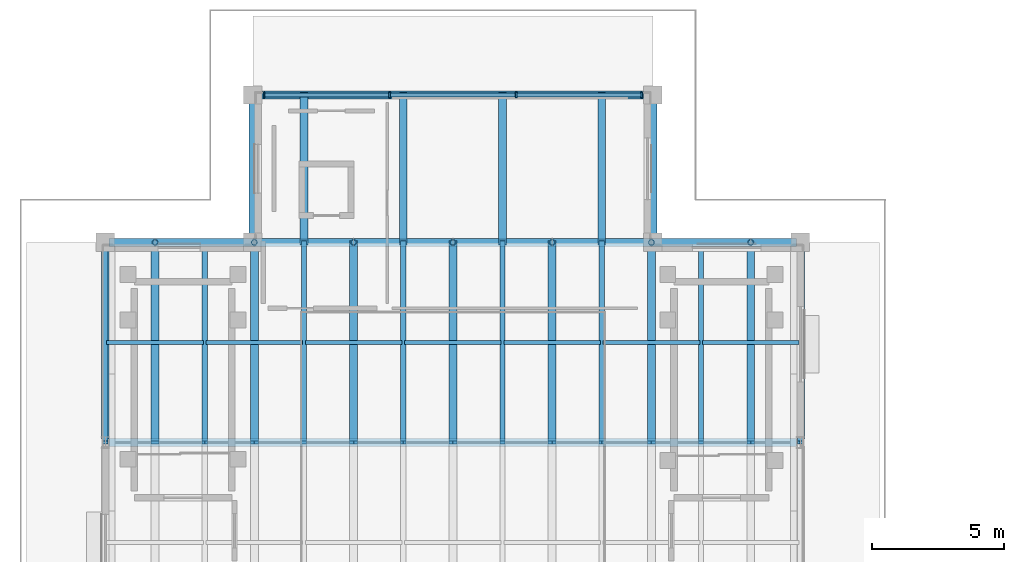
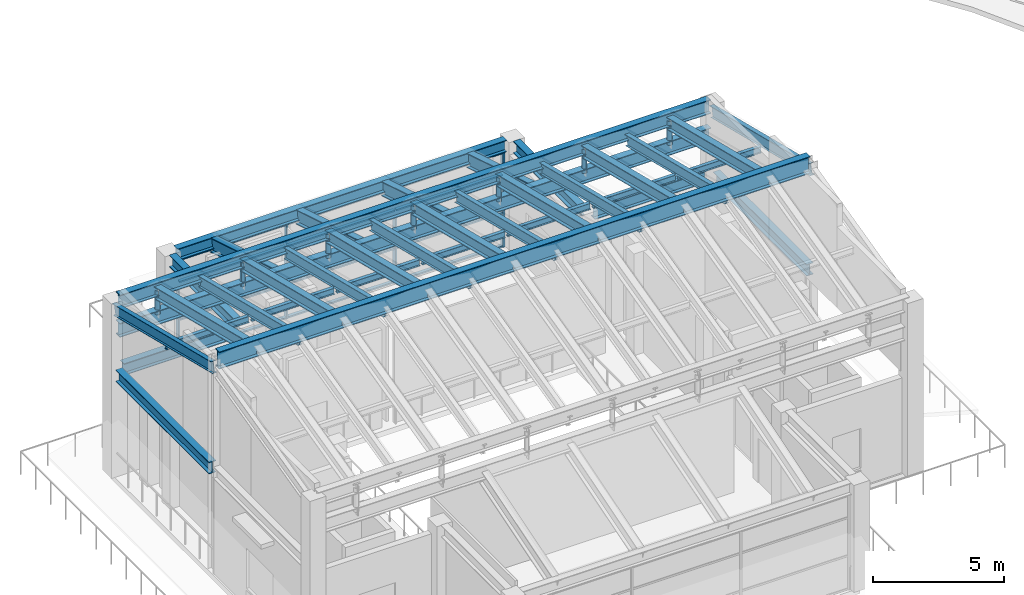
# One storey, part 3 of 11: 49 members, 10 beams, 1 element without a shape of its own.
"""IFC4 building model written with IfcOpenShell, lengths in metres."""

from ifc_helpers import new_model, si_unit, direction, frame, origin, origin_2d, place, context, subcontext, project, spatial, rectangle, hollow_circle, i_section, extrude, material, material_profile, profile_set, type_object, element, aggregate, save


model = new_model("IFC4")

# Units and contexts
model_context = context("Model", 3, precision=1e-05, world=origin(), true_north=direction((0.0, 1.0)))
body_context = subcontext(model_context, "Body", "Model", "MODEL_VIEW")
ifc_project = project(units=[si_unit("LENGTHUNIT", "METRE"), si_unit("AREAUNIT", "SQUARE_METRE"), si_unit("VOLUMEUNIT", "CUBIC_METRE"), si_unit("PLANEANGLEUNIT", "RADIAN"), si_unit("MASSUNIT", "GRAM", prefix="KILO")], contexts=[model_context])

# Site, building, storey
site_placement = place(None, origin())
site = spatial("IfcSite", under=ifc_project, at=site_placement, CompositionType="ELEMENT")
building_placement = place(site_placement, origin())
building = spatial("IfcBuilding", under=site, at=building_placement, Name="Saryqyr Civic Hall", CompositionType="ELEMENT")
storey_placement = place(building_placement, frame((0.0, 0.0, 29.39990234375)))
storey = spatial("IfcBuildingStorey", under=building, at=storey_placement, Name="L07", CompositionType="ELEMENT", Elevation=29.39990234375)

# Curtain wall, members
ifc_material_1 = material(Name="Anodised aluminium and triple low-E glass", Category="aluminium")
curtain_wall_type = type_object("IfcCurtainWallType", Name="ENV-CW-HVY-50", PredefinedType="NOTDEFINED", material=ifc_material_1)
curtain_wall_placement = place(storey_placement, origin())
curtain_wall = element("IfcCurtainWall", 1, at=curtain_wall_placement, inside=storey, type_object=curtain_wall_type, Name="Curtain wall V1-CW-L07-05", PredefinedType="NOTDEFINED")
ifc_material_2 = material(Name="Anodised aluminium", Category="aluminium")
ifc_material_profile_1 = material_profile(ifc_material_2, rectangle(XDim=0.070068359375, YDim=0.199951171875, at=origin_2d()), Name="ALU MULLION 70x200")
ifc_profile_set_1 = profile_set([ifc_material_profile_1], Name="Anodised aluminium")
member_type_1 = type_object("IfcMemberType", Name="ENV-CW-MUL-220", PredefinedType="MULLION", material=ifc_profile_set_1)
member_1_placement = place(storey_placement, frame((49.824951171875, 97.199951171875, 0.0), z_axis=(0.0, 0.0, 1.0), x_axis=(1.0, 0.0, 0.0)))
member_1 = element("IfcMember", 2, at=member_1_placement, type_object=member_type_1, Name="CW-50 mullion 1", PredefinedType="MULLION", context=body_context, shape_type="SweptSolid", body=[
    extrude(rectangle(XDim=0.070068359375, YDim=0.199951171875, at=origin_2d()), origin(), (0.0, 0.0, 1.0), 4.425048828125),
])
member_2_placement = place(storey_placement, frame((54.5966796875, 97.199951171875, 0.0), z_axis=(0.0, 0.0, 1.0), x_axis=(1.0, 0.0, 0.0)))
member_2 = element("IfcMember", 3, at=member_2_placement, type_object=member_type_1, Name="CW-50 mullion 2", PredefinedType="MULLION", context=body_context, shape_type="SweptSolid", body=[
    extrude(rectangle(XDim=0.070068359375, YDim=0.199951171875, at=origin_2d()), origin(), (0.0, 0.0, 1.0), 4.425048828125),
])
member_3_placement = place(storey_placement, frame((59.4033203125, 97.199951171875, 0.0), z_axis=(0.0, 0.0, 1.0), x_axis=(1.0, 0.0, 0.0)))
member_3 = element("IfcMember", 4, at=member_3_placement, type_object=member_type_1, Name="CW-50 mullion 3", PredefinedType="MULLION", context=body_context, shape_type="SweptSolid", body=[
    extrude(rectangle(XDim=0.070068359375, YDim=0.199951171875, at=origin_2d()), origin(), (0.0, 0.0, 1.0), 4.425048828125),
])
member_4_placement = place(storey_placement, frame((64.175048828125, 97.199951171875, 0.0), z_axis=(0.0, 0.0, 1.0), x_axis=(1.0, 0.0, 0.0)))
member_4 = element("IfcMember", 5, at=member_4_placement, type_object=member_type_1, Name="CW-50 mullion 4", PredefinedType="MULLION", context=body_context, shape_type="SweptSolid", body=[
    extrude(rectangle(XDim=0.070068359375, YDim=0.199951171875, at=origin_2d()), origin(), (0.0, 0.0, 1.0), 4.425048828125),
])
ifc_material_profile_2 = material_profile(ifc_material_2, rectangle(XDim=0.14990234375, YDim=0.070068359375, at=origin_2d()), Name="ALU TRANSOM 150x70")
ifc_profile_set_2 = profile_set([ifc_material_profile_2], Name="Anodised aluminium")
member_type_2 = type_object("IfcMemberType", Name="ENV-CW-TRN-180", PredefinedType="USERDEFINED", material=ifc_profile_set_2)
member_5_placement = place(storey_placement, frame((49.860107421875, 97.199951171875, 0.03515625), z_axis=(1.0, 0.0, 0.0), x_axis=(0.0, 1.0, 0.0)))
member_5 = element("IfcMember", 6, at=member_5_placement, type_object=member_type_2, Name="CW-50 transom 1.1", ObjectType="TRANSOM", PredefinedType="USERDEFINED", context=body_context, shape_type="SweptSolid", body=[
    extrude(rectangle(XDim=0.14990234375, YDim=0.070068359375, at=origin_2d()), origin(), (0.0, 0.0, 1.0), 4.70166015625),
])
member_6_placement = place(storey_placement, frame((49.860107421875, 97.199951171875, 1.593017578125), z_axis=(1.0, 0.0, 0.0), x_axis=(0.0, 1.0, 0.0)))
member_6 = element("IfcMember", 7, at=member_6_placement, type_object=member_type_2, Name="CW-50 transom 1.2", ObjectType="TRANSOM", PredefinedType="USERDEFINED", context=body_context, shape_type="SweptSolid", body=[
    extrude(rectangle(XDim=0.14990234375, YDim=0.070068359375, at=origin_2d()), origin(), (0.0, 0.0, 1.0), 4.70166015625),
])
member_7_placement = place(storey_placement, frame((49.860107421875, 97.199951171875, 3.363037109375), z_axis=(1.0, 0.0, 0.0), x_axis=(0.0, 1.0, 0.0)))
member_7 = element("IfcMember", 8, at=member_7_placement, type_object=member_type_2, Name="CW-50 transom 1.3", ObjectType="TRANSOM", PredefinedType="USERDEFINED", context=body_context, shape_type="SweptSolid", body=[
    extrude(rectangle(XDim=0.14990234375, YDim=0.070068359375, at=origin_2d()), origin(), (0.0, 0.0, 1.0), 4.70166015625),
])
member_8_placement = place(storey_placement, frame((49.860107421875, 97.199951171875, 4.39013671875), z_axis=(1.0, 0.0, 0.0), x_axis=(0.0, 1.0, 0.0)))
member_8 = element("IfcMember", 9, at=member_8_placement, type_object=member_type_2, Name="CW-50 transom 1.4", ObjectType="TRANSOM", PredefinedType="USERDEFINED", context=body_context, shape_type="SweptSolid", body=[
    extrude(rectangle(XDim=0.14990234375, YDim=0.070068359375, at=origin_2d()), origin(), (0.0, 0.0, 1.0), 4.70166015625),
])
member_9_placement = place(storey_placement, frame((54.631591796875, 97.199951171875, 0.03515625), z_axis=(1.0, 0.0, 0.0), x_axis=(0.0, 1.0, 0.0)))
member_9 = element("IfcMember", 10, at=member_9_placement, type_object=member_type_2, Name="CW-50 transom 2.1", ObjectType="TRANSOM", PredefinedType="USERDEFINED", context=body_context, shape_type="SweptSolid", body=[
    extrude(rectangle(XDim=0.14990234375, YDim=0.070068359375, at=origin_2d()), origin(), (0.0, 0.0, 1.0), 4.73681640625),
])
member_10_placement = place(storey_placement, frame((54.631591796875, 97.199951171875, 1.593017578125), z_axis=(1.0, 0.0, 0.0), x_axis=(0.0, 1.0, 0.0)))
member_10 = element("IfcMember", 11, at=member_10_placement, type_object=member_type_2, Name="CW-50 transom 2.2", ObjectType="TRANSOM", PredefinedType="USERDEFINED", context=body_context, shape_type="SweptSolid", body=[
    extrude(rectangle(XDim=0.14990234375, YDim=0.070068359375, at=origin_2d()), origin(), (0.0, 0.0, 1.0), 4.73681640625),
])
member_11_placement = place(storey_placement, frame((54.631591796875, 97.199951171875, 3.363037109375), z_axis=(1.0, 0.0, 0.0), x_axis=(0.0, 1.0, 0.0)))
member_11 = element("IfcMember", 12, at=member_11_placement, type_object=member_type_2, Name="CW-50 transom 2.3", ObjectType="TRANSOM", PredefinedType="USERDEFINED", context=body_context, shape_type="SweptSolid", body=[
    extrude(rectangle(XDim=0.14990234375, YDim=0.070068359375, at=origin_2d()), origin(), (0.0, 0.0, 1.0), 4.73681640625),
])
member_12_placement = place(storey_placement, frame((54.631591796875, 97.199951171875, 4.39013671875), z_axis=(1.0, 0.0, 0.0), x_axis=(0.0, 1.0, 0.0)))
member_12 = element("IfcMember", 13, at=member_12_placement, type_object=member_type_2, Name="CW-50 transom 2.4", ObjectType="TRANSOM", PredefinedType="USERDEFINED", context=body_context, shape_type="SweptSolid", body=[
    extrude(rectangle(XDim=0.14990234375, YDim=0.070068359375, at=origin_2d()), origin(), (0.0, 0.0, 1.0), 4.73681640625),
])
member_13_placement = place(storey_placement, frame((59.438232421875, 97.199951171875, 0.03515625), z_axis=(1.0, 0.0, 0.0), x_axis=(0.0, 1.0, 0.0)))
member_13 = element("IfcMember", 14, at=member_13_placement, type_object=member_type_2, Name="CW-50 transom 3.1", ObjectType="TRANSOM", PredefinedType="USERDEFINED", context=body_context, shape_type="SweptSolid", body=[
    extrude(rectangle(XDim=0.14990234375, YDim=0.070068359375, at=origin_2d()), origin(), (0.0, 0.0, 1.0), 4.70166015625),
])
member_14_placement = place(storey_placement, frame((59.438232421875, 97.199951171875, 1.593017578125), z_axis=(1.0, 0.0, 0.0), x_axis=(0.0, 1.0, 0.0)))
member_14 = element("IfcMember", 15, at=member_14_placement, type_object=member_type_2, Name="CW-50 transom 3.2", ObjectType="TRANSOM", PredefinedType="USERDEFINED", context=body_context, shape_type="SweptSolid", body=[
    extrude(rectangle(XDim=0.14990234375, YDim=0.070068359375, at=origin_2d()), origin(), (0.0, 0.0, 1.0), 4.70166015625),
])
member_15_placement = place(storey_placement, frame((59.438232421875, 97.199951171875, 3.363037109375), z_axis=(1.0, 0.0, 0.0), x_axis=(0.0, 1.0, 0.0)))
member_15 = element("IfcMember", 16, at=member_15_placement, type_object=member_type_2, Name="CW-50 transom 3.3", ObjectType="TRANSOM", PredefinedType="USERDEFINED", context=body_context, shape_type="SweptSolid", body=[
    extrude(rectangle(XDim=0.14990234375, YDim=0.070068359375, at=origin_2d()), origin(), (0.0, 0.0, 1.0), 4.70166015625),
])
member_16_placement = place(storey_placement, frame((59.438232421875, 97.199951171875, 4.39013671875), z_axis=(1.0, 0.0, 0.0), x_axis=(0.0, 1.0, 0.0)))
member_16 = element("IfcMember", 17, at=member_16_placement, type_object=member_type_2, Name="CW-50 transom 3.4", ObjectType="TRANSOM", PredefinedType="USERDEFINED", context=body_context, shape_type="SweptSolid", body=[
    extrude(rectangle(XDim=0.14990234375, YDim=0.070068359375, at=origin_2d()), origin(), (0.0, 0.0, 1.0), 4.70166015625),
])
aggregate(curtain_wall, [member_1, member_2, member_3, member_4, member_5, member_6, member_7, member_8, member_9, member_10, member_11, member_12, member_13, member_14, member_15, member_16])

# Beams
ifc_material_3 = material(Name="Steel S355", Category="steel")
ifc_material_profile_3 = material_profile(ifc_material_3, i_section(OverallWidth=0.300048828125, OverallDepth=0.550048828125, WebThickness=0.014892578125, FlangeThickness=0.029052734375, at=origin_2d()), Name="HEB 550")
ifc_profile_set_3 = profile_set([ifc_material_profile_3], Name="Steel S355")
beam_type_1 = type_object("IfcBeamType", Name="STR-BM-HEB550", PredefinedType="BEAM", material=ifc_profile_set_3)
for number, where, z_axis, x_axis, name in (
    (18, (43.800048828125, 84.125, 4.72509765625), (0.0, 1.0, 0.0), (-1.0, 0.0, 0.0), "Beam V1-RB34-02"),
    (19, (70.199951171875, 84.125, 4.72509765625), (0.0, 1.0, 0.0), (-1.0, 0.0, 0.0), "Beam V1-RB34-04"),
):
    element("IfcBeam", number, at=place(storey_placement, frame(where, z_axis=z_axis, x_axis=x_axis)), inside=storey, type_object=beam_type_1, Name=name, PredefinedType="BEAM", context=body_context, shape_type="SweptSolid", body=[
        extrude(i_section(OverallWidth=0.300048828125, OverallDepth=0.550048828125, WebThickness=0.014892578125, FlangeThickness=0.029052734375, at=origin_2d()), origin(), (0.0, 0.0, 1.0), 7.14990234375),
    ])
for number, where, z_axis, x_axis, name in (
    (20, (44.125, 91.60009765625, 4.72509765625), (1.0, 0.0, 0.0), (0.0, 1.0, 0.0), "Beam V1-RB34-07"),
    (21, (64.925048828125, 91.60009765625, 4.72509765625), (1.0, 0.0, 0.0), (0.0, 1.0, 0.0), "Beam V1-RB34-08"),
    (22, (49.39990234375, 91.925048828125, 4.72509765625), (0.0, 1.0, 0.0), (-1.0, 0.0, 0.0), "Beam V1-RB34-11"),
    (23, (64.60009765625, 91.925048828125, 4.72509765625), (0.0, 1.0, 0.0), (-1.0, 0.0, 0.0), "Beam V1-RB34-12"),
):
    element("IfcBeam", number, at=place(storey_placement, frame(where, z_axis=z_axis, x_axis=x_axis)), inside=storey, type_object=beam_type_1, Name=name, PredefinedType="BEAM", context=body_context, shape_type="SweptSolid", body=[
        extrude(i_section(OverallWidth=0.300048828125, OverallDepth=0.550048828125, WebThickness=0.014892578125, FlangeThickness=0.029052734375, at=origin_2d()), origin(), (0.0, 0.0, 1.0), 4.949951171875),
    ])
beam_1_placement = place(storey_placement, frame((49.72509765625, 97.199951171875, 4.72509765625), z_axis=(1.0, 0.0, 0.0), x_axis=(0.0, 1.0, 0.0)))
element("IfcBeam", 24, at=beam_1_placement, inside=storey, type_object=beam_type_1, Name="Beam V1-RB34-14", PredefinedType="BEAM", context=body_context, shape_type="SweptSolid", body=[
    extrude(i_section(OverallWidth=0.300048828125, OverallDepth=0.550048828125, WebThickness=0.014892578125, FlangeThickness=0.029052734375, at=origin_2d()), origin(), (0.0, 0.0, 1.0), 14.5498046875),
])
ifc_material_profile_4 = material_profile(ifc_material_3, i_section(OverallWidth=0.300048828125, OverallDepth=0.64990234375, WebThickness=0.01611328125, FlangeThickness=0.031005859375, at=origin_2d()), Name="HEB 650")
ifc_profile_set_4 = profile_set([ifc_material_profile_4], Name="Steel S355")
beam_type_2 = type_object("IfcBeamType", Name="STR-BM-HEB650", PredefinedType="BEAM", material=ifc_profile_set_4)
for number, where, z_axis, x_axis, name in (
    (25, (43.93994140625, 91.60009765625, 6.6201171875), (1.0, 0.0, 0.0), (0.0, 1.0, 0.0), "Folded-plate crown primary girder V1-RFG-N-LOW"),
    (26, (43.93994140625, 91.60009765625, 7.940185546875), (1.0, 0.0, 0.0), (0.0, 1.0, 0.0), "Folded-plate crown primary girder V1-RFG-N-UP"),
):
    element("IfcBeam", number, at=place(storey_placement, frame(where, z_axis=z_axis, x_axis=x_axis)), inside=storey, type_object=beam_type_2, Name=name, PredefinedType="BEAM", context=body_context, shape_type="SweptSolid", body=[
        extrude(i_section(OverallWidth=0.300048828125, OverallDepth=0.64990234375, WebThickness=0.01611328125, FlangeThickness=0.031005859375, at=origin_2d()), origin(), (0.0, 0.0, 1.0), 26.1201171875),
    ])
ifc_material_profile_5 = material_profile(ifc_material_3, i_section(OverallWidth=0.300048828125, OverallDepth=0.800048828125, WebThickness=0.017578125, FlangeThickness=0.032958984375, at=origin_2d()), Name="HEB 800")
ifc_profile_set_5 = profile_set([ifc_material_profile_5], Name="Steel S355")
beam_type_3 = type_object("IfcBeamType", Name="STR-BM-HEB800", PredefinedType="BEAM", material=ifc_profile_set_5)
beam_2_placement = place(storey_placement, frame((43.93994140625, 84.0, 9.820068359375), z_axis=(1.0, 0.0, 0.0), x_axis=(0.0, 1.0, 0.0)))
element("IfcBeam", 27, at=beam_2_placement, inside=storey, type_object=beam_type_3, Name="Folded-plate crown primary girder V1-RFG-RIDGE", PredefinedType="BEAM", context=body_context, shape_type="SweptSolid", body=[
    extrude(i_section(OverallWidth=0.300048828125, OverallDepth=0.800048828125, WebThickness=0.017578125, FlangeThickness=0.032958984375, at=origin_2d()), origin(), (0.0, 0.0, 1.0), 26.1201171875),
])

# Members
ifc_material_profile_6 = material_profile(ifc_material_3, i_section(OverallWidth=0.300048828125, OverallDepth=0.550048828125, WebThickness=0.014892578125, FlangeThickness=0.029052734375, at=origin_2d()), Name="HEB 550")
ifc_profile_set_6 = profile_set([ifc_material_profile_6], Name="Steel S355")
member_type_3 = type_object("IfcMemberType", Name="STR-CHD-HEB550", PredefinedType="CHORD", material=ifc_profile_set_6)
for number, where, z_axis, x_axis, name in (
    (28, (45.685791015625, 91.60009765625, 7.739990234375), (0.0, -0.970737537899, 0.240142941836), (1.0, 0.0, 0.0), "Chamber folded-plate upper crest chord N bay 1"),
    (29, (49.45703125, 91.60009765625, 7.739990234375), (0.0, -0.970737537899, 0.240142941836), (1.0, 0.0, 0.0), "Chamber folded-plate upper crest chord N bay 2"),
    (30, (53.228515625, 91.60009765625, 7.739990234375), (0.0, -0.970737537899, 0.240142941836), (1.0, 0.0, 0.0), "Chamber folded-plate upper crest chord N bay 3"),
    (31, (57.0, 91.60009765625, 7.739990234375), (0.0, -0.970737537899, 0.240142941836), (1.0, 0.0, 0.0), "Chamber folded-plate upper crest chord N bay 4"),
    (32, (60.771484375, 91.60009765625, 7.739990234375), (0.0, -0.970737537899, 0.240142941836), (1.0, 0.0, 0.0), "Chamber folded-plate upper crest chord N bay 5"),
    (33, (64.542724609375, 91.60009765625, 7.739990234375), (0.0, -0.970737537899, 0.240142941836), (1.0, 0.0, 0.0), "Chamber folded-plate upper crest chord N bay 6"),
    (34, (68.314208984375, 91.60009765625, 7.739990234375), (0.0, -0.970737537899, 0.240142941836), (1.0, 0.0, 0.0), "Chamber folded-plate upper crest chord N bay 7"),
):
    element("IfcMember", number, at=place(storey_placement, frame(where, z_axis=z_axis, x_axis=x_axis)), inside=storey, type_object=member_type_3, Name=name, PredefinedType="CHORD", context=body_context, shape_type="SweptSolid", body=[
        extrude(i_section(OverallWidth=0.300048828125, OverallDepth=0.550048828125, WebThickness=0.014892578125, FlangeThickness=0.029052734375, at=origin_2d()), origin(), (0.0, 0.0, 1.0), 7.8291015625),
    ])
ifc_material_profile_7 = material_profile(ifc_material_3, i_section(OverallWidth=0.14990234375, OverallDepth=0.300048828125, WebThickness=0.007080078125, FlangeThickness=0.0107421875, at=origin_2d()), Name="IPE 300")
ifc_profile_set_7 = profile_set([ifc_material_profile_7], Name="Steel S355")
member_type_4 = type_object("IfcMemberType", Name="STR-PUR-IPE300", PredefinedType="PURLIN", material=ifc_profile_set_7)
for number, where, z_axis, x_axis, name in (
    (35, (43.85009765625, 87.800048828125, 8.150146484375), (1.0, 0.0, 0.0), (0.0, 1.0, 0.0), "Chamber roof purlin N bay 1"),
    (36, (47.621337890625, 87.800048828125, 8.150146484375), (1.0, 0.0, 0.0), (0.0, 1.0, 0.0), "Chamber roof purlin N bay 2"),
    (37, (51.392822265625, 87.800048828125, 8.150146484375), (1.0, 0.0, 0.0), (0.0, 1.0, 0.0), "Chamber roof purlin N bay 3"),
    (38, (55.164306640625, 87.800048828125, 8.150146484375), (1.0, 0.0, 0.0), (0.0, 1.0, 0.0), "Chamber roof purlin N bay 4"),
    (39, (58.935791015625, 87.800048828125, 8.150146484375), (1.0, 0.0, 0.0), (0.0, 1.0, 0.0), "Chamber roof purlin N bay 5"),
    (40, (62.70703125, 87.800048828125, 8.150146484375), (1.0, 0.0, 0.0), (0.0, 1.0, 0.0), "Chamber roof purlin N bay 6"),
    (41, (66.478515625, 87.800048828125, 8.150146484375), (1.0, 0.0, 0.0), (0.0, 1.0, 0.0), "Chamber roof purlin N bay 7"),
):
    element("IfcMember", number, at=place(storey_placement, frame(where, z_axis=z_axis, x_axis=x_axis)), inside=storey, type_object=member_type_4, Name=name, PredefinedType="PURLIN", context=body_context, shape_type="SweptSolid", body=[
        extrude(i_section(OverallWidth=0.14990234375, OverallDepth=0.300048828125, WebThickness=0.007080078125, FlangeThickness=0.0107421875, at=origin_2d()), origin(), (0.0, 0.0, 1.0), 3.67138671875),
    ])
ifc_material_profile_8 = material_profile(ifc_material_3, i_section(OverallWidth=0.300048828125, OverallDepth=0.64990234375, WebThickness=0.01611328125, FlangeThickness=0.031005859375, at=origin_2d()), Name="HEB 650")
ifc_profile_set_8 = profile_set([ifc_material_profile_8], Name="Steel S355")
member_type_5 = type_object("IfcMemberType", Name="STR-RAF-HEB650", PredefinedType="RAFTER", material=ifc_profile_set_8)
for number, where, z_axis, x_axis, name in (
    (42, (51.343017578125, 97.199951171875, 4.6201171875), (0.0, -0.95592576977, 0.293608451325), (1.0, 0.0, 0.0), "Chamber folded-plate lower valley rafter N bay 3"),
    (43, (55.1142578125, 97.199951171875, 4.6201171875), (0.0, -0.95592576977, 0.293608451325), (1.0, 0.0, 0.0), "Chamber folded-plate lower valley rafter N bay 4"),
    (44, (58.8857421875, 97.199951171875, 4.6201171875), (0.0, -0.95592576977, 0.293608451325), (1.0, 0.0, 0.0), "Chamber folded-plate lower valley rafter N bay 5"),
    (45, (62.656982421875, 97.199951171875, 4.6201171875), (0.0, -0.95592576977, 0.293608451325), (1.0, 0.0, 0.0), "Chamber folded-plate lower valley rafter N bay 6"),
):
    element("IfcMember", number, at=place(storey_placement, frame(where, z_axis=z_axis, x_axis=x_axis)), inside=storey, type_object=member_type_5, Name=name, PredefinedType="RAFTER", context=body_context, shape_type="SweptSolid", body=[
        extrude(i_section(OverallWidth=0.300048828125, OverallDepth=0.64990234375, WebThickness=0.01611328125, FlangeThickness=0.031005859375, at=origin_2d()), origin(), (0.0, 0.0, 1.0), 5.858154296875),
    ])
ifc_material_profile_9 = material_profile(ifc_material_3, i_section(OverallWidth=0.199951171875, OverallDepth=0.5, WebThickness=0.01025390625, FlangeThickness=0.01611328125, at=origin_2d()), Name="IPE 500")
ifc_profile_set_9 = profile_set([ifc_material_profile_9], Name="Steel S355")
member_type_6 = type_object("IfcMemberType", Name="STR-RAF-IPE500", PredefinedType="RAFTER", material=ifc_profile_set_9)
for number, where, z_axis, x_axis, name in (
    (46, (43.800048828125, 91.60009765625, 7.60009765625), (0.0, -0.970744806838, 0.240113556462), (1.0, 0.0, 0.0), "Chamber folded-plate upper valley rafter N bay 1"),
    (47, (47.5712890625, 91.60009765625, 7.60009765625), (0.0, -0.970744806838, 0.240113556462), (1.0, 0.0, 0.0), "Chamber folded-plate upper valley rafter N bay 2"),
    (48, (51.343017578125, 91.60009765625, 7.60009765625), (0.0, -0.970744806838, 0.240113556462), (1.0, 0.0, 0.0), "Chamber folded-plate upper valley rafter N bay 3"),
    (49, (55.1142578125, 91.60009765625, 7.60009765625), (0.0, -0.970744806838, 0.240113556462), (1.0, 0.0, 0.0), "Chamber folded-plate upper valley rafter N bay 4"),
    (50, (58.8857421875, 91.60009765625, 7.60009765625), (0.0, -0.970744806838, 0.240113556462), (1.0, 0.0, 0.0), "Chamber folded-plate upper valley rafter N bay 5"),
    (51, (62.656982421875, 91.60009765625, 7.60009765625), (0.0, -0.970744806838, 0.240113556462), (1.0, 0.0, 0.0), "Chamber folded-plate upper valley rafter N bay 6"),
    (52, (66.4287109375, 91.60009765625, 7.60009765625), (0.0, -0.970744806838, 0.240113556462), (1.0, 0.0, 0.0), "Chamber folded-plate upper valley rafter N bay 7"),
    (53, (70.199951171875, 91.60009765625, 7.60009765625), (0.0, -0.970744806838, 0.240113556462), (1.0, 0.0, 0.0), "Chamber folded-plate end rafter N2"),
):
    element("IfcMember", number, at=place(storey_placement, frame(where, z_axis=z_axis, x_axis=x_axis)), inside=storey, type_object=member_type_6, Name=name, PredefinedType="RAFTER", context=body_context, shape_type="SweptSolid", body=[
        extrude(i_section(OverallWidth=0.199951171875, OverallDepth=0.5, WebThickness=0.01025390625, FlangeThickness=0.01611328125, at=origin_2d()), origin(), (0.0, 0.0, 1.0), 7.8291015625),
    ])
ifc_material_profile_10 = material_profile(ifc_material_3, hollow_circle(Radius=0.109619140625, WallThickness=0.012451171875, at=origin_2d()), Name="CHS 219.1x12.5")
ifc_profile_set_10 = profile_set([ifc_material_profile_10], Name="Steel S355")
member_type_7 = type_object("IfcMemberType", Name="STR-STRUT-CHS219", PredefinedType="STRUT", material=ifc_profile_set_10)
for number, where, z_axis, x_axis, name in (
    (54, (45.685791015625, 91.60009765625, 6.72021484375), (0.0, 0.0, 1.0), (1.0, 0.0, 0.0), "Chamber folded-plate vault step strut N bay 1"),
    (55, (49.45703125, 91.60009765625, 6.72021484375), (0.0, 0.0, 1.0), (1.0, 0.0, 0.0), "Chamber folded-plate vault step strut N bay 2"),
    (56, (53.228515625, 91.60009765625, 6.72021484375), (0.0, 0.0, 1.0), (1.0, 0.0, 0.0), "Chamber folded-plate vault step strut N bay 3"),
    (57, (57.0, 91.60009765625, 6.72021484375), (0.0, 0.0, 1.0), (1.0, 0.0, 0.0), "Chamber folded-plate vault step strut N bay 4"),
    (58, (60.771484375, 91.60009765625, 6.72021484375), (0.0, 0.0, 1.0), (1.0, 0.0, 0.0), "Chamber folded-plate vault step strut N bay 5"),
    (59, (64.542724609375, 91.60009765625, 6.72021484375), (0.0, 0.0, 1.0), (1.0, 0.0, 0.0), "Chamber folded-plate vault step strut N bay 6"),
    (60, (68.314208984375, 91.60009765625, 6.72021484375), (0.0, 0.0, 1.0), (1.0, 0.0, 0.0), "Chamber folded-plate vault step strut N bay 7"),
):
    element("IfcMember", number, at=place(storey_placement, frame(where, z_axis=z_axis, x_axis=x_axis)), inside=storey, type_object=member_type_7, Name=name, PredefinedType="STRUT", context=body_context, shape_type="SweptSolid", body=[
        extrude(hollow_circle(Radius=0.109619140625, WallThickness=0.012451171875, at=origin_2d()), origin(), (0.0, 0.0, 1.0), 1.119873046875),
    ])

save(model, "model.ifc")
